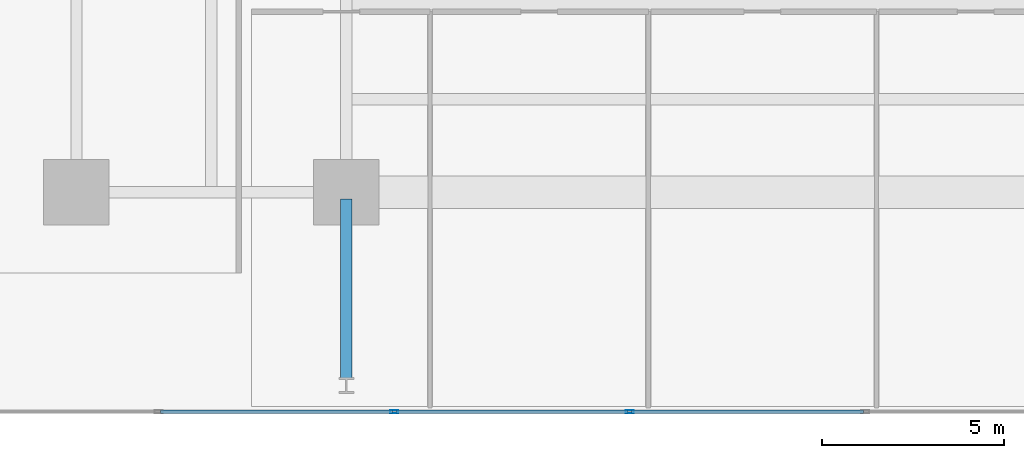
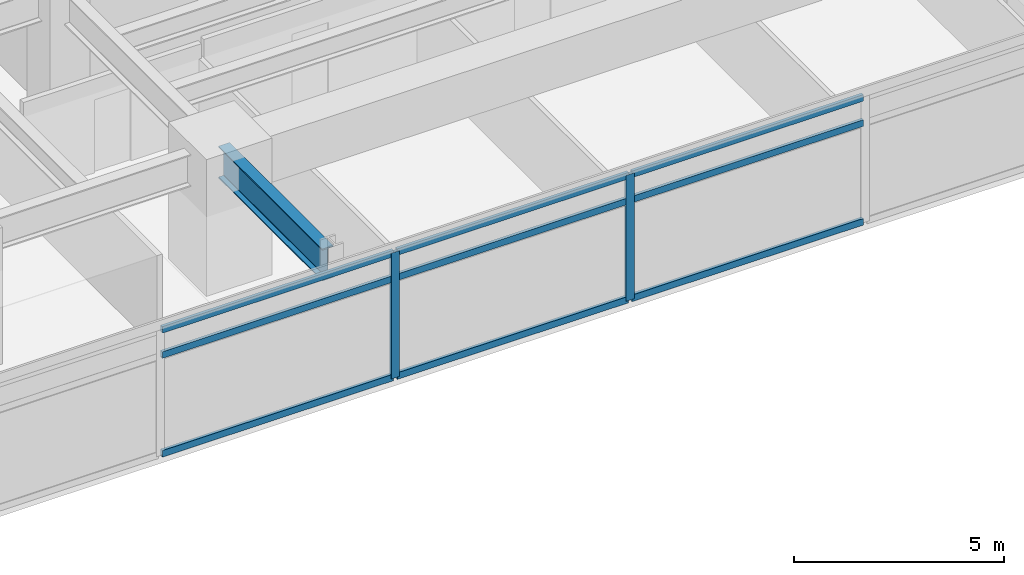
# One storey, part 3 of 23: 11 members, 1 beam, 1 element without a shape of its own.
"""IFC4 building model written with IfcOpenShell, lengths in metres."""

from ifc_helpers import new_model, si_unit, direction, frame, origin, origin_2d, place, context, subcontext, project, spatial, hollow_rectangle, i_section, extrude, material, material_profile, profile_set, type_object, element, aggregate, save


model = new_model("IFC4")

# Units and contexts
model_context = context("Model", 3, precision=1e-05, world=origin(), true_north=direction((0.0, 1.0)))
body_context = subcontext(model_context, "Body", "Model", "MODEL_VIEW")
ifc_project = project(units=[si_unit("LENGTHUNIT", "METRE"), si_unit("AREAUNIT", "SQUARE_METRE"), si_unit("VOLUMEUNIT", "CUBIC_METRE"), si_unit("PLANEANGLEUNIT", "RADIAN"), si_unit("MASSUNIT", "GRAM", prefix="KILO")], contexts=[model_context])

# Site, building, storey
site_placement = place(None, origin())
site = spatial("IfcSite", under=ifc_project, at=site_placement, CompositionType="ELEMENT")
building_placement = place(site_placement, origin())
building = spatial("IfcBuilding", under=site, at=building_placement, Name="Kovane Verandah Tower", CompositionType="ELEMENT")
storey_placement = place(building_placement, frame((0.0, 0.0, 103.60009765625)))
storey = spatial("IfcBuildingStorey", under=building, at=storey_placement, Name="L24", CompositionType="ELEMENT", Elevation=103.60009765625)

# Beam
ifc_material_1 = material(Name="Steel S460", Category="steel")
ifc_material_profile_1 = material_profile(ifc_material_1, i_section(OverallWidth=0.3076171875, OverallDepth=0.926513671875, WebThickness=0.01953125, FlangeThickness=0.031982421875, FilletRadius=0.01904296875, at=origin_2d()), Name="UB914x305x289")
ifc_profile_set_1 = profile_set([ifc_material_profile_1], Name="Steel S460")
beam_type = type_object("IfcBeamType", Name="BM-UB914x289", PredefinedType="BEAM", material=ifc_profile_set_1)
beam_placement = place(storey_placement, frame((29.0, 10.6201171875, 3.236572265625), z_axis=(0.0, -1.0, 0.0), x_axis=(1.0, 0.0, 0.0)))
element("IfcBeam", 1, at=beam_placement, inside=storey, type_object=beam_type, Name="L24 Primary Tower Girder G-VS1", PredefinedType="BEAM", context=body_context, shape_type="SweptSolid", body=[
    extrude(i_section(OverallWidth=0.3076171875, OverallDepth=0.926513671875, WebThickness=0.01953125, FlangeThickness=0.031982421875, FilletRadius=0.01904296875, at=origin_2d()), origin(), (0.0, 0.0, 1.0), 4.940185546875),
])

# Curtain wall, members
ifc_material_2 = material(Name="Champagne Anodised Aluminium Frame with Low-E Clear Laminated Glass", Category="aluminium")
curtain_wall_type = type_object("IfcCurtainWallType", Name="CW-SYS-02-LOW", PredefinedType="NOTDEFINED", material=ifc_material_2)
curtain_wall_placement = place(storey_placement, origin())
curtain_wall = element("IfcCurtainWall", 2, at=curtain_wall_placement, inside=storey, type_object=curtain_wall_type, Name="L24 S Unitised Curtain Wall", PredefinedType="NOTDEFINED")
ifc_material_3 = material(Name="Champagne Anodised Aluminium 6063-T6", Category="aluminium")
ifc_material_profile_2 = material_profile(ifc_material_3, hollow_rectangle(XDim=0.0849609375, YDim=0.22998046875, WallThickness=0.00390625, at=origin_2d()), Name="AL85x230x4")
ifc_profile_set_2 = profile_set([ifc_material_profile_2], Name="Champagne Anodised Aluminium 6063-T6")
member_type_1 = type_object("IfcMemberType", Name="CW-MUL-85x230", PredefinedType="MULLION", material=ifc_profile_set_2)
member_1_placement = place(storey_placement, frame((30.31494140625, 4.781005859375, 0.02001953125), z_axis=(0.0, 0.0, 1.0), x_axis=(0.0, -1.0, 0.0)))
member_1 = element("IfcMember", 3, at=member_1_placement, type_object=member_type_1, Name="L24 S Unitised Curtain Wall Mullion 3", PredefinedType="MULLION", context=body_context, shape_type="SweptSolid", body=[
    extrude(hollow_rectangle(XDim=0.0849609375, YDim=0.22998046875, WallThickness=0.00390625, at=origin_2d()), origin(), (0.0, 0.0, 1.0), 3.659912109375),
])
member_2_placement = place(storey_placement, frame((36.771484375, 4.781005859375, 0.02001953125), z_axis=(0.0, 0.0, 1.0), x_axis=(0.0, -1.0, 0.0)))
member_2 = element("IfcMember", 4, at=member_2_placement, type_object=member_type_1, Name="L24 S Unitised Curtain Wall Mullion 4", PredefinedType="MULLION", context=body_context, shape_type="SweptSolid", body=[
    extrude(hollow_rectangle(XDim=0.0849609375, YDim=0.22998046875, WallThickness=0.00390625, at=origin_2d()), origin(), (0.0, 0.0, 1.0), 3.659912109375),
])
ifc_material_profile_3 = material_profile(ifc_material_3, hollow_rectangle(XDim=0.0849609375, YDim=0.18994140625, WallThickness=0.00390625, at=origin_2d()), Name="AL85x190x4")
ifc_profile_set_3 = profile_set([ifc_material_profile_3], Name="Champagne Anodised Aluminium 6063-T6")
member_type_2 = type_object("IfcMemberType", Name="CW-TRN-85x190", PredefinedType="USERDEFINED", material=ifc_profile_set_3)
member_3_placement = place(storey_placement, frame((23.908203125, 4.781005859375, 0.0498046875), z_axis=(1.0, 0.0, 0.0), x_axis=(0.0, 1.0, 0.0)))
member_3 = element("IfcMember", 5, at=member_3_placement, type_object=member_type_2, Name="L24 S Unitised Curtain Wall Transom TB Bay 2", ObjectType="TRANSOM", PredefinedType="USERDEFINED", context=body_context, shape_type="SweptSolid", body=[
    extrude(hollow_rectangle(XDim=0.0849609375, YDim=0.18994140625, WallThickness=0.00390625, at=origin_2d()), origin(), (0.0, 0.0, 1.0), 6.356689453125),
])
member_4_placement = place(storey_placement, frame((23.908203125, 4.781005859375, 2.919921875), z_axis=(1.0, 0.0, 0.0), x_axis=(0.0, 1.0, 0.0)))
member_4 = element("IfcMember", 6, at=member_4_placement, type_object=member_type_2, Name="L24 S Unitised Curtain Wall Transom TM Bay 2", ObjectType="TRANSOM", PredefinedType="USERDEFINED", context=body_context, shape_type="SweptSolid", body=[
    extrude(hollow_rectangle(XDim=0.0849609375, YDim=0.18994140625, WallThickness=0.00390625, at=origin_2d()), origin(), (0.0, 0.0, 1.0), 6.356689453125),
])
member_5_placement = place(storey_placement, frame((23.908203125, 4.781005859375, 3.64990234375), z_axis=(1.0, 0.0, 0.0), x_axis=(0.0, 1.0, 0.0)))
member_5 = element("IfcMember", 7, at=member_5_placement, type_object=member_type_2, Name="L24 S Unitised Curtain Wall Transom TT Bay 2", ObjectType="TRANSOM", PredefinedType="USERDEFINED", context=body_context, shape_type="SweptSolid", body=[
    extrude(hollow_rectangle(XDim=0.0849609375, YDim=0.18994140625, WallThickness=0.00390625, at=origin_2d()), origin(), (0.0, 0.0, 1.0), 6.356689453125),
])
member_6_placement = place(storey_placement, frame((30.364990234375, 4.781005859375, 0.0498046875), z_axis=(1.0, 0.0, 0.0), x_axis=(0.0, 1.0, 0.0)))
member_6 = element("IfcMember", 8, at=member_6_placement, type_object=member_type_2, Name="L24 S Unitised Curtain Wall Transom TB Bay 3", ObjectType="TRANSOM", PredefinedType="USERDEFINED", context=body_context, shape_type="SweptSolid", body=[
    extrude(hollow_rectangle(XDim=0.0849609375, YDim=0.18994140625, WallThickness=0.00390625, at=origin_2d()), origin(), (0.0, 0.0, 1.0), 6.356689453125),
])
member_7_placement = place(storey_placement, frame((30.364990234375, 4.781005859375, 2.919921875), z_axis=(1.0, 0.0, 0.0), x_axis=(0.0, 1.0, 0.0)))
member_7 = element("IfcMember", 9, at=member_7_placement, type_object=member_type_2, Name="L24 S Unitised Curtain Wall Transom TM Bay 3", ObjectType="TRANSOM", PredefinedType="USERDEFINED", context=body_context, shape_type="SweptSolid", body=[
    extrude(hollow_rectangle(XDim=0.0849609375, YDim=0.18994140625, WallThickness=0.00390625, at=origin_2d()), origin(), (0.0, 0.0, 1.0), 6.356689453125),
])
member_8_placement = place(storey_placement, frame((30.364990234375, 4.781005859375, 3.64990234375), z_axis=(1.0, 0.0, 0.0), x_axis=(0.0, 1.0, 0.0)))
member_8 = element("IfcMember", 10, at=member_8_placement, type_object=member_type_2, Name="L24 S Unitised Curtain Wall Transom TT Bay 3", ObjectType="TRANSOM", PredefinedType="USERDEFINED", context=body_context, shape_type="SweptSolid", body=[
    extrude(hollow_rectangle(XDim=0.0849609375, YDim=0.18994140625, WallThickness=0.00390625, at=origin_2d()), origin(), (0.0, 0.0, 1.0), 6.356689453125),
])
member_9_placement = place(storey_placement, frame((36.821533203125, 4.781005859375, 0.0498046875), z_axis=(1.0, 0.0, 0.0), x_axis=(0.0, 1.0, 0.0)))
member_9 = element("IfcMember", 11, at=member_9_placement, type_object=member_type_2, Name="L24 S Unitised Curtain Wall Transom TB Bay 4", ObjectType="TRANSOM", PredefinedType="USERDEFINED", context=body_context, shape_type="SweptSolid", body=[
    extrude(hollow_rectangle(XDim=0.0849609375, YDim=0.18994140625, WallThickness=0.00390625, at=origin_2d()), origin(), (0.0, 0.0, 1.0), 6.35693359375),
])
member_10_placement = place(storey_placement, frame((36.821533203125, 4.781005859375, 2.919921875), z_axis=(1.0, 0.0, 0.0), x_axis=(0.0, 1.0, 0.0)))
member_10 = element("IfcMember", 12, at=member_10_placement, type_object=member_type_2, Name="L24 S Unitised Curtain Wall Transom TM Bay 4", ObjectType="TRANSOM", PredefinedType="USERDEFINED", context=body_context, shape_type="SweptSolid", body=[
    extrude(hollow_rectangle(XDim=0.0849609375, YDim=0.18994140625, WallThickness=0.00390625, at=origin_2d()), origin(), (0.0, 0.0, 1.0), 6.35693359375),
])
member_11_placement = place(storey_placement, frame((36.821533203125, 4.781005859375, 3.64990234375), z_axis=(1.0, 0.0, 0.0), x_axis=(0.0, 1.0, 0.0)))
member_11 = element("IfcMember", 13, at=member_11_placement, type_object=member_type_2, Name="L24 S Unitised Curtain Wall Transom TT Bay 4", ObjectType="TRANSOM", PredefinedType="USERDEFINED", context=body_context, shape_type="SweptSolid", body=[
    extrude(hollow_rectangle(XDim=0.0849609375, YDim=0.18994140625, WallThickness=0.00390625, at=origin_2d()), origin(), (0.0, 0.0, 1.0), 6.35693359375),
])
aggregate(curtain_wall, [member_1, member_2, member_3, member_4, member_5, member_6, member_7, member_8, member_9, member_10, member_11])

save(model, "model.ifc")
